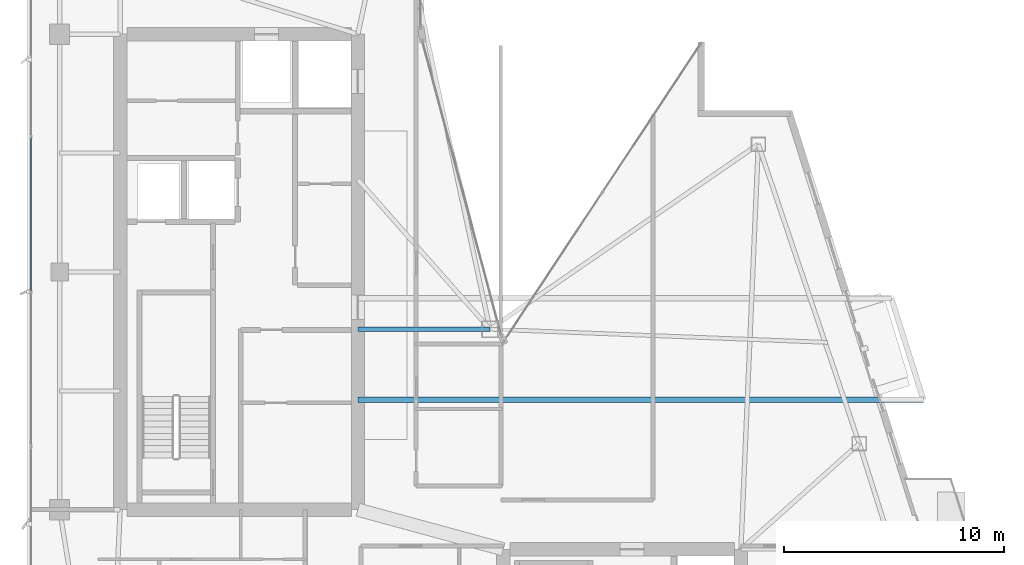
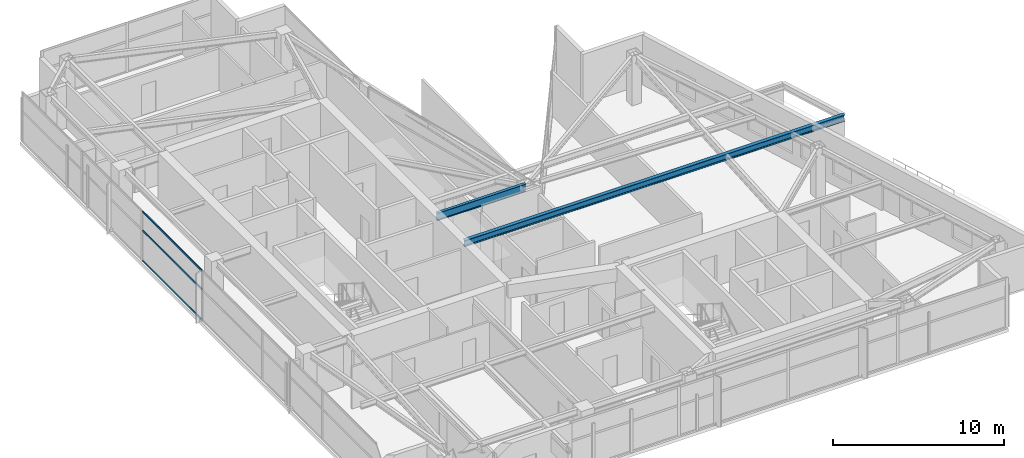
# One storey, part 10 of 28: 3 members, 2 beams, 1 element without a shape of its own.
"""IFC4 building model written with IfcOpenShell, lengths in metres."""

import ifcopenshell
import ifcopenshell.guid

model = None  # the IFC model being written
_history = None  # IfcOwnerHistory: only IFC2X3 demands one
_inside = {}  # id of a spatial element -> (the spatial element, [elements in it])
_under = {}  # id of a project, library or spatial element -> (it, [spatial elements below it])
_declared = {}  # id of a project -> (the project, [libraries it declares])
_typed = {}  # id of a type object -> (the type object, [elements of that type])
_made_of = {}  # id of a material, layer set ... -> (it, [elements and type objects made of it])


def new_model(schema):
    """Start an empty IFC model of exactly this schema.

    Asked for "IFC4X3", IfcOpenShell would pick the latest addendum, in which some entities
    have other attributes; the version numbers below select the first issue.
    IFC2X3 requires an IfcOwnerHistory on every rooted entity: one is made here for all.
    """
    global model, _history
    if schema == "IFC4X3":
        model = ifcopenshell.file(schema_version=(4, 3, 0, 0))
    else:
        model = ifcopenshell.file(schema=schema)
    _inside.clear()
    _under.clear()
    _declared.clear()
    _typed.clear()
    _made_of.clear()
    _history = None
    if model.schema == "IFC2X3":
        org = make("IfcOrganization", Name="unknown")
        user = make(
            "IfcPersonAndOrganization",
            ThePerson=make("IfcPerson", FamilyName="unknown"),
            TheOrganization=org,
        )
        app = make(
            "IfcApplication",
            ApplicationDeveloper=org,
            Version="unknown",
            ApplicationFullName="unknown",
            ApplicationIdentifier="unknown",
        )
        _history = make(
            "IfcOwnerHistory",
            OwningUser=user,
            OwningApplication=app,
            ChangeAction="ADDED",
            CreationDate=0,
        )
    return model


def make(cls, **values):
    """One entity of the class cls with the attributes given. An attribute that is None is left unset."""
    return model.create_entity(
        cls, **{name: value for name, value in values.items() if value is not None}
    )


def rooted(cls, **values):
    """An entity with a GlobalId (a new one), such as an element, a storey or a relation."""
    return make(cls, GlobalId=ifcopenshell.guid.new(), OwnerHistory=_history, **values)


def si_unit(unit_type, name, prefix=None):
    """IfcSIUnit, for example si_unit("LENGTHUNIT", "METRE", prefix="MILLI")."""
    return make("IfcSIUnit", UnitType=unit_type, Prefix=prefix, Name=name)


def assignment(units):
    """IfcUnitAssignment: the units of a project."""
    return None if units is None else make("IfcUnitAssignment", Units=units)


def point(xyz):
    """IfcCartesianPoint."""
    return None if xyz is None else make("IfcCartesianPoint", Coordinates=xyz)


def direction(xyz):
    """IfcDirection."""
    return None if xyz is None else make("IfcDirection", DirectionRatios=xyz)


def frame(location, z_axis=None, x_axis=None):
    """IfcAxis2Placement3D, a coordinate frame: its origin and axes. An axis left out is left unset."""
    return make(
        "IfcAxis2Placement3D",
        Location=point(location),
        Axis=direction(z_axis),
        RefDirection=direction(x_axis),
    )


def frame_2d(location, x_axis=None):
    """IfcAxis2Placement2D, a coordinate frame in the plane: its origin and x axis."""
    return make(
        "IfcAxis2Placement2D", Location=point(location), RefDirection=direction(x_axis)
    )


def origin():
    """The frame at (0, 0, 0) with its axes left unset."""
    return frame((0.0, 0.0, 0.0))


def origin_2d():
    """The frame at (0, 0) in the plane with its x axis left unset."""
    return frame_2d((0.0, 0.0))


def place(relative_to, where):
    """IfcLocalPlacement: puts the frame where relative to a parent placement (None: the world)."""
    return make(
        "IfcLocalPlacement", PlacementRelTo=relative_to, RelativePlacement=where
    )


def context(
    kind, dimensions, precision=None, world=None, true_north=None, identifier=None
):
    """IfcGeometricRepresentationContext, for example the 3D "Model" context."""
    return make(
        "IfcGeometricRepresentationContext",
        ContextIdentifier=identifier,
        ContextType=kind,
        CoordinateSpaceDimension=dimensions,
        Precision=precision,
        WorldCoordinateSystem=world,
        TrueNorth=true_north,
    )


def subcontext(parent, identifier, kind, view, scale=None):
    """IfcGeometricRepresentationSubContext, for example "Body" below "Model"."""
    return make(
        "IfcGeometricRepresentationSubContext",
        ContextIdentifier=identifier,
        ContextType=kind,
        ParentContext=parent,
        TargetScale=scale,
        TargetView=view,
    )


def project(units=None, contexts=None):
    """IfcProject with its units and contexts."""
    return rooted(
        "IfcProject",
        Name="project",
        RepresentationContexts=contexts,
        UnitsInContext=assignment(units),
    )


def spatial(cls, under=None, at=None, **own):
    """A site, building, storey or space (cls), placed at a placement, below another one or the project."""
    s = rooted(cls, ObjectPlacement=at, **own)
    if under is not None:
        _under.setdefault(under.id(), (under, []))[1].append(s)
    return s


def profile(cls, at=None, kind="AREA", **sizes):
    """A parametric profile (cls). Its sizes go by their IFC names, for example OverallWidth=200.0."""
    return make(cls, ProfileType=kind, Position=at, **sizes)


def hollow_rectangle(**sizes):
    """IfcRectangleHollowProfileDef."""
    return profile("IfcRectangleHollowProfileDef", **sizes)


def i_section(**sizes):
    """IfcIShapeProfileDef."""
    return profile("IfcIShapeProfileDef", **sizes)


def extrude(swept, where, along, depth):
    """IfcExtrudedAreaSolid: the profile swept, set in the frame where, extruded along a direction by depth."""
    return make(
        "IfcExtrudedAreaSolid",
        SweptArea=swept,
        Position=where,
        ExtrudedDirection=direction(along),
        Depth=depth,
    )


def shape(context_of_items, identifier, shape_type, items):
    """IfcShapeRepresentation: the items that make up one representation, for example the "Body"."""
    return make(
        "IfcShapeRepresentation",
        ContextOfItems=context_of_items,
        RepresentationIdentifier=identifier,
        RepresentationType=shape_type,
        Items=items,
    )


def material(Name=None, Category=None):
    """IfcMaterial."""
    return make("IfcMaterial", Name=Name, Category=Category)


def layer(
    of_material, thickness, ventilated=None, Name=None, Category=None, Priority=None
):
    """IfcMaterialLayer: one layer of a wall or slab, of a material (None: an air gap)."""
    return make(
        "IfcMaterialLayer",
        Material=of_material,
        LayerThickness=thickness,
        IsVentilated=ventilated,
        Name=Name,
        Category=Category,
        Priority=Priority,
    )


def layer_set(layers, Name=None):
    """IfcMaterialLayerSet."""
    return make("IfcMaterialLayerSet", MaterialLayers=layers, LayerSetName=Name)


def material_profile(
    of_material, cross_section, Name=None, Category=None, Priority=None
):
    """IfcMaterialProfile: a cross section and its material."""
    return make(
        "IfcMaterialProfile",
        Name=Name,
        Material=of_material,
        Profile=cross_section,
        Priority=Priority,
        Category=Category,
    )


def profile_set(profiles, Name=None, composite=None):
    """IfcMaterialProfileSet."""
    return make(
        "IfcMaterialProfileSet",
        Name=Name,
        MaterialProfiles=profiles,
        CompositeProfile=composite,
    )


def made_of(thing, what):
    """Note that an element or type object is made of a material, layer set ...; save() writes the relation."""
    if what is not None:
        _made_of.setdefault(what.id(), (what, []))[1].append(thing)
    return thing


def type_object(cls, material=None, **own):
    """A type object (cls), such as IfcWallType, which elements share."""
    return made_of(rooted(cls, **own), material)


def element(
    cls,
    number,
    at=None,
    inside=None,
    cuts=None,
    type_object=None,
    material=None,
    context=None,
    identifier="Body",
    shape_type=None,
    held_by="IfcProductDefinitionShape",
    body=None,
    shapes=None,
    **own,
):
    """One element of the class cls, such as IfcWall. Its Tag is "e" and its number.

    at: its placement. inside: the storey or other place that contains it. cuts: it is an
    opening in that element (IfcRelVoidsElement). A single representation is given by context,
    identifier, shape_type and body (its items); several are given by shapes. held_by: the class
    of the entity that holds the representations. save() writes the other relations.
    """
    e = rooted(cls, Tag="e%d" % number, ObjectPlacement=at, **own)
    if body is not None:
        shapes = [shape(context, identifier, shape_type, body)]
    if shapes is not None:
        e.Representation = make(held_by, Representations=shapes)
    if inside is not None:
        _inside.setdefault(inside.id(), (inside, []))[1].append(e)
    if cuts is not None:
        rooted(
            "IfcRelVoidsElement", RelatingBuildingElement=cuts, RelatedOpeningElement=e
        )
    if type_object is not None:
        _typed.setdefault(type_object.id(), (type_object, []))[1].append(e)
    return made_of(e, material)


def aggregate(whole, parts):
    """IfcRelAggregates: a whole, such as a stair, and the parts it consists of."""
    return rooted("IfcRelAggregates", RelatingObject=whole, RelatedObjects=parts)


def save(model, path):
    """Write the relations noted so far, then the file.

    IfcRelAggregates (storeys below a building ...), IfcRelContainedInSpatialStructure (elements
    in a storey), IfcRelDefinesByType, IfcRelAssociatesMaterial and IfcRelDeclares: one each for
    every whole, place, type object, material and project.
    """
    for whole, parts in _under.values():
        aggregate(whole, parts)
    for where, things in _inside.values():
        rooted(
            "IfcRelContainedInSpatialStructure",
            RelatedElements=things,
            RelatingStructure=where,
        )
    for kind, things in _typed.values():
        rooted("IfcRelDefinesByType", RelatedObjects=things, RelatingType=kind)
    for what, things in _made_of.values():
        rooted("IfcRelAssociatesMaterial", RelatedObjects=things, RelatingMaterial=what)
    for by, libraries in _declared.values():
        rooted("IfcRelDeclares", RelatingContext=by, RelatedDefinitions=libraries)
    model.write(path)


model = new_model("IFC4")

# Units and contexts
model_context = context("Model", 3, precision=1e-05, world=origin(), true_north=direction((0.0, 1.0)))
body_context = subcontext(model_context, "Body", "Model", "MODEL_VIEW")
ifc_project = project(units=[si_unit("LENGTHUNIT", "METRE"), si_unit("AREAUNIT", "SQUARE_METRE"), si_unit("VOLUMEUNIT", "CUBIC_METRE"), si_unit("PLANEANGLEUNIT", "RADIAN"), si_unit("MASSUNIT", "GRAM", prefix="KILO")], contexts=[model_context])

# Site, building, storey
site_placement = place(None, origin())
site = spatial("IfcSite", under=ifc_project, at=site_placement, CompositionType="ELEMENT")
building_placement = place(site_placement, origin())
building = spatial("IfcBuilding", under=site, at=building_placement, Name="Calvorn Quay Hotel", CompositionType="ELEMENT")
storey_placement = place(building_placement, frame((0.0, 0.0, 274.89990234375)))
storey = spatial("IfcBuildingStorey", under=building, at=storey_placement, Name="L68", CompositionType="ELEMENT", Elevation=274.89990234375)

# Beams
ifc_material_1 = material(Name="Steel Q355B", Category="steel")
ifc_material_profile_1 = material_profile(ifc_material_1, i_section(OverallWidth=0.25, OverallDepth=0.449951171875, WebThickness=0.011962890625, FlangeThickness=0.01611328125, FilletRadius=0.01611328125, at=origin_2d()), Name="HN450x250x12x16")
ifc_profile_set_1 = profile_set([ifc_material_profile_1], Name="Steel Q355B")
beam_type_1 = type_object("IfcBeamType", Name="BM-CANT-BALC", PredefinedType="BEAM", material=ifc_profile_set_1)
beam_1_placement = place(storey_placement, frame((15.0, 21.800048828125, 3.315185546875), z_axis=(1.0, 0.0, 0.0), x_axis=(0.0, 1.0, 0.0)))
element("IfcBeam", 1, at=beam_1_placement, inside=storey, type_object=beam_type_1, Name="Cantilever Balcony Beam BCB-L69-1A", PredefinedType="BEAM", context=body_context, shape_type="SweptSolid", body=[
    extrude(i_section(OverallWidth=0.25, OverallDepth=0.449951171875, WebThickness=0.011962890625, FlangeThickness=0.01611328125, FilletRadius=0.01611328125, at=origin_2d()), origin(), (0.0, 0.0, 1.0), 25.68603515625),
])
ifc_material_2 = material(Name="Steel Q355B", Category="steel")
ifc_material_profile_2 = material_profile(ifc_material_2, i_section(OverallWidth=0.199951171875, OverallDepth=0.550048828125, WebThickness=0.010009765625, FlangeThickness=0.01611328125, FilletRadius=0.01806640625, at=origin_2d()), Name="HN550x200x10x16")
ifc_profile_set_2 = profile_set([ifc_material_profile_2], Name="Steel Q355B")
beam_type_2 = type_object("IfcBeamType", Name="BM-GIRD-UPP", PredefinedType="BEAM", material=ifc_profile_set_2)
beam_2_placement = place(storey_placement, frame((21.0, 25.0, 3.26513671875), z_axis=(-1.0, 0.0, 0.0), x_axis=(0.0, -1.0, 0.0)))
element("IfcBeam", 2, at=beam_2_placement, inside=storey, type_object=beam_type_2, Name="Beam BG-L68-W7", PredefinedType="BEAM", context=body_context, shape_type="SweptSolid", body=[
    extrude(i_section(OverallWidth=0.199951171875, OverallDepth=0.550048828125, WebThickness=0.010009765625, FlangeThickness=0.01611328125, FilletRadius=0.01806640625, at=origin_2d()), origin(), (0.0, 0.0, 1.0), 6.0),
])

# Curtain wall, members
ifc_material_3 = material(Name="Champagne Bronze Anodised Aluminium and Low-E Glass", Category="aluminium")
ifc_layer = layer(ifc_material_3, 0.219970703125)
ifc_layer_set = layer_set([ifc_layer], Name="CW-SYS-Z4")
curtain_wall_type = type_object("IfcCurtainWallType", Name="CW-SYS-Z4", PredefinedType="NOTDEFINED", material=ifc_layer_set)
curtain_wall_placement = place(storey_placement, origin())
curtain_wall = element("IfcCurtainWall", 3, at=curtain_wall_placement, inside=storey, type_object=curtain_wall_type, Name="Tower West Curtain Wall (L68)", PredefinedType="NOTDEFINED")
ifc_material_4 = material(Name="Champagne Bronze Anodised Aluminium 6063-T6", Category="aluminium")
ifc_material_profile_3 = material_profile(ifc_material_4, hollow_rectangle(XDim=0.054931640625, YDim=0.1298828125, WallThickness=0.003173828125, at=origin_2d()), Name="ALU-T130x55x3.2")
ifc_profile_set_3 = profile_set([ifc_material_profile_3], Name="Champagne Bronze Anodised Aluminium 6063-T6")
member_type = type_object("IfcMemberType", Name="CW-SYS-Z4-TRN", PredefinedType="USERDEFINED", material=ifc_profile_set_3)
member_1_placement = place(storey_placement, frame((0.14990234375, 26.72998046875, 0.030029296875), z_axis=(0.0, 1.0, 0.0), x_axis=(-1.0, 0.0, 0.0)))
member_1 = element("IfcMember", 4, at=member_1_placement, type_object=member_type, Name="CW-L68-W transom 4.1", ObjectType="TRANSOM", PredefinedType="USERDEFINED", context=body_context, shape_type="SweptSolid", body=[
    extrude(hollow_rectangle(XDim=0.054931640625, YDim=0.1298828125, WallThickness=0.003173828125, at=origin_2d()), origin(), (0.0, 0.0, 1.0), 6.973388671875),
])
member_2_placement = place(storey_placement, frame((0.14990234375, 26.72998046875, 2.2001953125), z_axis=(0.0, 1.0, 0.0), x_axis=(-1.0, 0.0, 0.0)))
member_2 = element("IfcMember", 5, at=member_2_placement, type_object=member_type, Name="CW-L68-W transom 4.2", ObjectType="TRANSOM", PredefinedType="USERDEFINED", context=body_context, shape_type="SweptSolid", body=[
    extrude(hollow_rectangle(XDim=0.054931640625, YDim=0.1298828125, WallThickness=0.003173828125, at=origin_2d()), origin(), (0.0, 0.0, 1.0), 6.973388671875),
])
member_3_placement = place(storey_placement, frame((0.14990234375, 26.72998046875, 3.530029296875), z_axis=(0.0, 1.0, 0.0), x_axis=(-1.0, 0.0, 0.0)))
member_3 = element("IfcMember", 6, at=member_3_placement, type_object=member_type, Name="CW-L68-W transom 4.3", ObjectType="TRANSOM", PredefinedType="USERDEFINED", context=body_context, shape_type="SweptSolid", body=[
    extrude(hollow_rectangle(XDim=0.054931640625, YDim=0.1298828125, WallThickness=0.003173828125, at=origin_2d()), origin(), (0.0, 0.0, 1.0), 6.973388671875),
])
aggregate(curtain_wall, [member_1, member_2, member_3])

save(model, "model.ifc")
